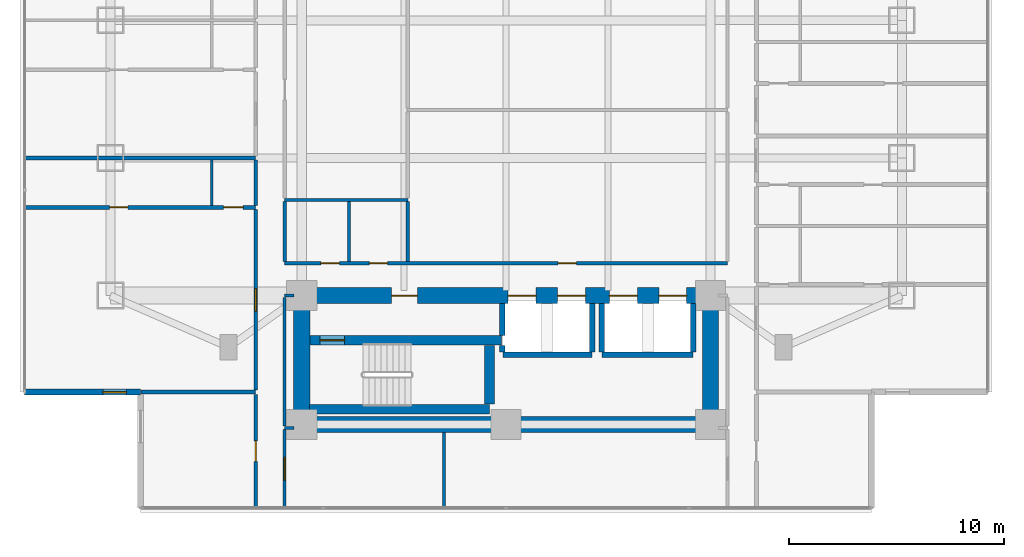
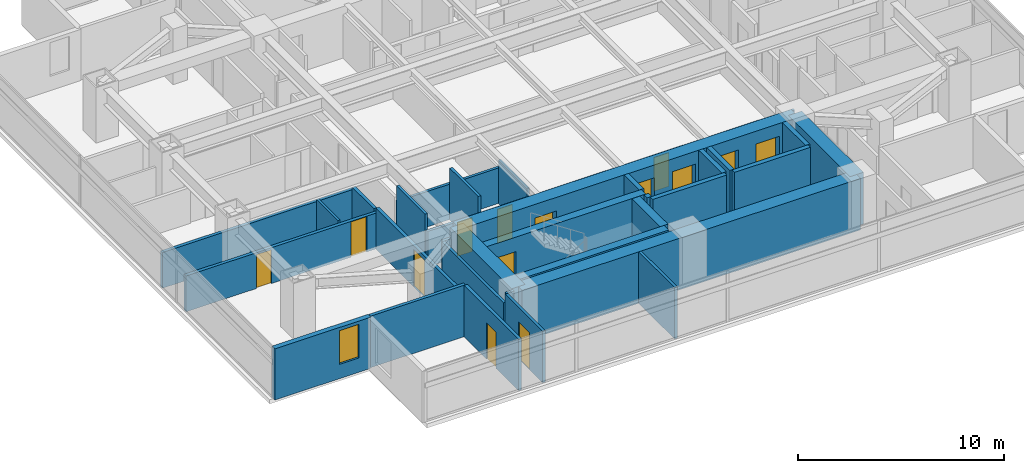
# One storey, part 14 of 26: 32 walls, 14 doors, 1 window, 15 openings.
"""IFC4 building model written with IfcOpenShell, lengths in metres."""

from ifc_helpers import new_model, si_unit, direction, frame, frame_2d, origin, place, context, subcontext, project, spatial, rectangle, extrude, material, layer, layer_set, type_object, element, fill, save


model = new_model("IFC4")

# Units and contexts
model_context = context("Model", 3, precision=1e-05, world=origin(), true_north=direction((0.0, 1.0)))
body_context = subcontext(model_context, "Body", "Model", "MODEL_VIEW")
ifc_project = project(units=[si_unit("LENGTHUNIT", "METRE"), si_unit("AREAUNIT", "SQUARE_METRE"), si_unit("VOLUMEUNIT", "CUBIC_METRE"), si_unit("PLANEANGLEUNIT", "RADIAN"), si_unit("MASSUNIT", "GRAM", prefix="KILO")], contexts=[model_context])

# Site, building, storey
site_placement = place(None, origin())
site = spatial("IfcSite", under=ifc_project, at=site_placement, CompositionType="ELEMENT")
building_placement = place(site_placement, origin())
building = spatial("IfcBuilding", under=site, at=building_placement, Name="Mirazonda Arch Towers", CompositionType="ELEMENT")
storey_placement = place(building_placement, frame((0.0, 0.0, 38.89990234375)))
storey = spatial("IfcBuildingStorey", under=building, at=storey_placement, Name="L10", CompositionType="ELEMENT", Elevation=38.89990234375)

# Wall
ifc_material_1 = material(Name="Concrete C50/60", Category="concrete")
ifc_layer_1 = layer(ifc_material_1, 0.449951171875, Name="WALL-CORE-450")
ifc_layer_set_1 = layer_set([ifc_layer_1], Name="Concrete C50/60")
wall_type_1 = type_object("IfcWallType", Name="WALL-CORE-450", PredefinedType="SHEAR", material=ifc_layer_set_1)
wall_1_placement = place(storey_placement, frame((11.3701171875, 13.1201171875, 0.0), z_axis=(0.0, 0.0, 1.0), x_axis=(1.0, 0.0, 0.0)))
element("IfcWall", 1, at=wall_1_placement, inside=storey, type_object=wall_type_1, Name="L10 Stair Core Shear Wall 003", PredefinedType="SHEAR", context=body_context, shape_type="SweptSolid", body=[
    extrude(rectangle(XDim=8.35986328125, YDim=0.449951171875, at=frame_2d((4.179931640625, 0.0))), origin(), (0.0, 0.0, 1.0), 3.06005859375),
])

# Wall, opening, door
wall_2_placement = place(storey_placement, frame((11.3701171875, 16.320068359375, 0.0), z_axis=(0.0, 0.0, 1.0), x_axis=(1.0, 0.0, 0.0)))
wall_2 = element("IfcWall", 2, at=wall_2_placement, inside=storey, type_object=wall_type_1, Name="L10 Stair Core Shear Wall 008", PredefinedType="SHEAR", context=body_context, shape_type="SweptSolid", body=[
    extrude(rectangle(XDim=8.909912109375, YDim=0.449951171875, at=frame_2d((4.455078125, 0.0))), origin(), (0.0, 0.0, 1.0), 3.06005859375),
])
opening_1_placement = place(wall_2_placement, frame((0.469970703125, 0.0, 0.0)))
opening_1 = element("IfcOpeningElement", 3, at=opening_1_placement, cuts=wall_2, Name="Opening DR-135", PredefinedType="OPENING", context=body_context, shape_type="SweptSolid", body=[
    extrude(rectangle(XDim=1.14990234375, YDim=2.199951171875, at=frame_2d((0.574951171875, 1.10009765625))), frame((0.0, 0.23486328125, 0.0), z_axis=(0.0, -1.0, 0.0), x_axis=(1.0, 0.0, 0.0)), (0.0, 0.0, 1.0), 0.469970703125),
])
ifc_material_2 = material(Name="Architectural Brushed Steel S355", Category="steel")
door_type_1 = type_object("IfcDoorType", Name="DOOR-STAIR-FD90-1150", OperationType="NOTDEFINED", PredefinedType="DOOR", material=ifc_material_2)
door_1_placement = place(opening_1_placement, origin())
door_1 = element("IfcDoor", 4, at=door_1_placement, inside=storey, type_object=door_type_1, Name="L10 Protected Exit Stair South Door", OperationType="SINGLE_SWING_RIGHT", OverallHeight=2.199951171875, OverallWidth=1.14990234375, PredefinedType="DOOR", context=body_context, shape_type="SweptSolid", body=[
    extrude(rectangle(XDim=1.14990234375, YDim=2.199951171875, at=frame_2d((0.574951171875, 1.10009765625))), frame((0.0, 0.02490234375, 0.0), z_axis=(0.0, -1.0, 0.0), x_axis=(1.0, 0.0, 0.0)), (0.0, 0.0, 1.0), 0.050048828125),
])
fill(opening_1, door_1)

# Walls
wall_3_placement = place(storey_placement, frame((19.72998046875, 13.35498046875, 0.0), z_axis=(0.0, 0.0, 1.0), x_axis=(0.0, 1.0, 0.0)))
element("IfcWall", 5, at=wall_3_placement, inside=storey, type_object=wall_type_1, Name="L10 Stair Core Shear Wall 090", PredefinedType="SHEAR", context=body_context, shape_type="SweptSolid", body=[
    extrude(rectangle(XDim=2.72998046875, YDim=0.449951171875, at=frame_2d((1.364990234375, 0.0))), origin(), (0.0, 0.0, 1.0), 3.06005859375),
])
ifc_material_3 = material(Name="Concrete C60/75", Category="concrete")
ifc_layer_2 = layer(ifc_material_3, 0.75, Name="WALL-CORE-750")
ifc_layer_set_2 = layer_set([ifc_layer_2], Name="Concrete C60/75")
wall_type_2 = type_object("IfcWallType", Name="WALL-CORE-750", PredefinedType="SHEAR", material=ifc_layer_set_2)
wall_4_placement = place(storey_placement, frame((11.0, 12.39990234375, 0.0), z_axis=(0.0, 0.0, 1.0), x_axis=(1.0, 0.0, 0.0)))
element("IfcWall", 6, at=wall_4_placement, inside=storey, type_object=wall_type_2, Name="L10 T1S-S Core Shear Wall", PredefinedType="SHEAR", context=body_context, shape_type="SweptSolid", body=[
    extrude(rectangle(XDim=19.0, YDim=0.75, at=frame_2d((9.5, 0.0))), origin(), (0.0, 0.0, 1.0), 3.06005859375),
])
for number, where, z_axis, x_axis, name in (
    (7, (11.0, 12.39990234375, 0.0), (0.0, 0.0, 1.0), (0.0, 1.0, 0.0), "L10 T1S-W Core Shear Wall"),
    (8, (30.0, 12.39990234375, 0.0), (0.0, 0.0, 1.0), (0.0, 1.0, 0.0), "L10 T1S-E Core Shear Wall"),
):
    element("IfcWall", number, at=place(storey_placement, frame(where, z_axis=z_axis, x_axis=x_axis)), inside=storey, type_object=wall_type_2, Name=name, PredefinedType="SHEAR", context=body_context, shape_type="SweptSolid", body=[
        extrude(rectangle(XDim=6.0, YDim=0.75, at=frame_2d((3.0, 0.0))), origin(), (0.0, 0.0, 1.0), 3.06005859375),
    ])

# Wall, openings, doors
wall_5_placement = place(storey_placement, frame((11.0, 18.39990234375, 0.0), z_axis=(0.0, 0.0, 1.0), x_axis=(1.0, 0.0, 0.0)))
wall_5 = element("IfcWall", 9, at=wall_5_placement, inside=storey, type_object=wall_type_2, Name="L10 T1S-N Core Shear Wall", PredefinedType="SHEAR", context=body_context, shape_type="SweptSolid", body=[
    extrude(rectangle(XDim=19.0, YDim=0.75, at=frame_2d((9.5, 0.0))), origin(), (0.0, 0.0, 1.0), 3.06005859375),
])
opening_2_placement = place(wall_5_placement, frame((4.175048828125, 0.0, 0.0)))
opening_2 = element("IfcOpeningElement", 10, at=opening_2_placement, cuts=wall_5, Name="Opening DR-117", PredefinedType="OPENING", context=body_context, shape_type="SweptSolid", body=[
    extrude(rectangle(XDim=1.199951171875, YDim=2.25, at=frame_2d((0.60009765625, 1.125))), frame((0.0, 0.385009765625, 0.0), z_axis=(0.0, -1.0, 0.0), x_axis=(1.0, 0.0, 0.0)), (0.0, 0.0, 1.0), 0.77001953125),
])
opening_3_placement = place(wall_5_placement, frame((9.60009765625, 0.0, 0.0)))
opening_3 = element("IfcOpeningElement", 11, at=opening_3_placement, cuts=wall_5, Name="Opening LD-111", PredefinedType="OPENING", context=body_context, shape_type="SweptSolid", body=[
    extrude(rectangle(XDim=1.300048828125, YDim=2.300048828125, at=frame_2d((0.64990234375, 1.14990234375))), frame((0.0, 0.385009765625, 0.0), z_axis=(0.0, -1.0, 0.0), x_axis=(1.0, 0.0, 0.0)), (0.0, 0.0, 1.0), 0.77001953125),
])
opening_4_placement = place(wall_5_placement, frame((11.89990234375, 0.0, 0.0)))
opening_4 = element("IfcOpeningElement", 12, at=opening_4_placement, cuts=wall_5, Name="Opening LD-111", PredefinedType="OPENING", context=body_context, shape_type="SweptSolid", body=[
    extrude(rectangle(XDim=1.300048828125, YDim=2.300048828125, at=frame_2d((0.64990234375, 1.14990234375))), frame((0.0, 0.385009765625, 0.0), z_axis=(0.0, -1.0, 0.0), x_axis=(1.0, 0.0, 0.0)), (0.0, 0.0, 1.0), 0.77001953125),
])
opening_5_placement = place(wall_5_placement, frame((14.300048828125, 0.0, 0.0)))
opening_5 = element("IfcOpeningElement", 13, at=opening_5_placement, cuts=wall_5, Name="Opening LD-111", PredefinedType="OPENING", context=body_context, shape_type="SweptSolid", body=[
    extrude(rectangle(XDim=1.300048828125, YDim=2.300048828125, at=frame_2d((0.64990234375, 1.14990234375))), frame((0.0, 0.385009765625, 0.0), z_axis=(0.0, -1.0, 0.0), x_axis=(1.0, 0.0, 0.0)), (0.0, 0.0, 1.0), 0.77001953125),
])
opening_6_placement = place(wall_5_placement, frame((16.60009765625, 0.0, 0.0)))
opening_6 = element("IfcOpeningElement", 14, at=opening_6_placement, cuts=wall_5, Name="Opening LD-111", PredefinedType="OPENING", context=body_context, shape_type="SweptSolid", body=[
    extrude(rectangle(XDim=1.300048828125, YDim=2.300048828125, at=frame_2d((0.64990234375, 1.14990234375))), frame((0.0, 0.385009765625, 0.0), z_axis=(0.0, -1.0, 0.0), x_axis=(1.0, 0.0, 0.0)), (0.0, 0.0, 1.0), 0.77001953125),
])
door_type_2 = type_object("IfcDoorType", Name="DOOR-FFL-FD90-1200", OperationType="NOTDEFINED", PredefinedType="DOOR", material=ifc_material_2)
door_2_placement = place(opening_2_placement, origin())
door_2 = element("IfcDoor", 15, at=door_2_placement, inside=storey, type_object=door_type_2, Name="L10 South Core Stair & Lift Lobby Door", OperationType="SINGLE_SWING_LEFT", OverallHeight=2.25, OverallWidth=1.199951171875, PredefinedType="DOOR", context=body_context, shape_type="SweptSolid", body=[
    extrude(rectangle(XDim=1.199951171875, YDim=2.25, at=frame_2d((0.60009765625, 1.125))), frame((0.0, 0.02490234375, 0.0), z_axis=(0.0, -1.0, 0.0), x_axis=(1.0, 0.0, 0.0)), (0.0, 0.0, 1.0), 0.050048828125),
])
fill(opening_2, door_2)
door_type_3 = type_object("IfcDoorType", Name="DOOR-LIFT-LAND-1300", OperationType="NOTDEFINED", PredefinedType="DOOR", material=ifc_material_2)
door_3_placement = place(opening_3_placement, origin())
door_3 = element("IfcDoor", 16, at=door_3_placement, inside=storey, type_object=door_type_3, Name="L10 Lift Landing Sliding Door PL-T1M1", OperationType="DOUBLE_DOOR_SLIDING", OverallHeight=2.300048828125, OverallWidth=1.300048828125, PredefinedType="DOOR", context=body_context, shape_type="SweptSolid", body=[
    extrude(rectangle(XDim=1.300048828125, YDim=2.300048828125, at=frame_2d((0.64990234375, 1.14990234375))), frame((0.0, 0.02490234375, 0.0), z_axis=(0.0, -1.0, 0.0), x_axis=(1.0, 0.0, 0.0)), (0.0, 0.0, 1.0), 0.050048828125),
])
fill(opening_3, door_3)
door_4_placement = place(opening_4_placement, origin())
door_4 = element("IfcDoor", 17, at=door_4_placement, inside=storey, type_object=door_type_3, Name="L10 Lift Landing Sliding Door PL-T1M2", OperationType="DOUBLE_DOOR_SLIDING", OverallHeight=2.300048828125, OverallWidth=1.300048828125, PredefinedType="DOOR", context=body_context, shape_type="SweptSolid", body=[
    extrude(rectangle(XDim=1.300048828125, YDim=2.300048828125, at=frame_2d((0.64990234375, 1.14990234375))), frame((0.0, 0.02490234375, 0.0), z_axis=(0.0, -1.0, 0.0), x_axis=(1.0, 0.0, 0.0)), (0.0, 0.0, 1.0), 0.050048828125),
])
fill(opening_4, door_4)
door_5_placement = place(opening_5_placement, origin())
door_5 = element("IfcDoor", 18, at=door_5_placement, inside=storey, type_object=door_type_3, Name="L10 Lift Landing Sliding Door PL-T1H1", OperationType="DOUBLE_DOOR_SLIDING", OverallHeight=2.300048828125, OverallWidth=1.300048828125, PredefinedType="DOOR", context=body_context, shape_type="SweptSolid", body=[
    extrude(rectangle(XDim=1.300048828125, YDim=2.300048828125, at=frame_2d((0.64990234375, 1.14990234375))), frame((0.0, 0.02490234375, 0.0), z_axis=(0.0, -1.0, 0.0), x_axis=(1.0, 0.0, 0.0)), (0.0, 0.0, 1.0), 0.050048828125),
])
fill(opening_5, door_5)
door_6_placement = place(opening_6_placement, origin())
door_6 = element("IfcDoor", 19, at=door_6_placement, inside=storey, type_object=door_type_3, Name="L10 Lift Landing Sliding Door PL-T1H2", OperationType="DOUBLE_DOOR_SLIDING", OverallHeight=2.300048828125, OverallWidth=1.300048828125, PredefinedType="DOOR", context=body_context, shape_type="SweptSolid", body=[
    extrude(rectangle(XDim=1.300048828125, YDim=2.300048828125, at=frame_2d((0.64990234375, 1.14990234375))), frame((0.0, 0.02490234375, 0.0), z_axis=(0.0, -1.0, 0.0), x_axis=(1.0, 0.0, 0.0)), (0.0, 0.0, 1.0), 0.050048828125),
])
fill(opening_6, door_6)

# Wall, opening, window
ifc_material_4 = material(Name="Precast Concrete C40/50", Category="concrete")
ifc_layer_3 = layer(ifc_material_4, 0.280029296875, Name="WALL-EXT-WALL-280")
ifc_layer_set_3 = layer_set([ifc_layer_3], Name="Precast Concrete C40/50")
wall_type_3 = type_object("IfcWallType", Name="WALL-EXT-WALL-280", PredefinedType="SOLIDWALL", material=ifc_layer_set_3)
wall_6_placement = place(storey_placement, frame((-1.8798828125, 13.909912109375, 0.0), z_axis=(0.0, 0.0, 1.0), x_axis=(1.0, 0.0, 0.0)))
wall_6 = element("IfcWall", 20, at=wall_6_placement, inside=storey, type_object=wall_type_3, Name="L10 T1 Corner Notch Return Wall WL-L10-T1-CSW2", PredefinedType="SOLIDWALL", context=body_context, shape_type="SweptSolid", body=[
    extrude(rectangle(XDim=5.3798828125, YDim=0.280029296875, at=frame_2d((2.68994140625, 0.0))), origin(), (0.0, 0.0, 1.0), 3.0400390625),
])
opening_7_placement = place(wall_6_placement, frame((3.6298828125, 0.0, 0.85009765625)))
opening_7 = element("IfcOpeningElement", 21, at=opening_7_placement, cuts=wall_6, Name="Opening WN-108", PredefinedType="OPENING", context=body_context, shape_type="SweptSolid", body=[
    extrude(rectangle(XDim=1.10009765625, YDim=2.0, at=frame_2d((0.550048828125, 1.0))), frame((0.0, 0.14990234375, 0.0), z_axis=(0.0, -1.0, 0.0), x_axis=(1.0, 0.0, 0.0)), (0.0, 0.0, 1.0), 0.300048828125),
])
ifc_material_5 = material(Name="Insulated Low-E Solar Glass", Category="glass")
window_type = type_object("IfcWindowType", Name="WIN-NOTCH-1100x2000", PartitioningType="SINGLE_PANEL", PredefinedType="WINDOW", material=ifc_material_5)
window_placement = place(opening_7_placement, origin())
window = element("IfcWindow", 22, at=window_placement, inside=storey, type_object=window_type, Name="L10 Punched Facade Window WN-L10-T1-CSW2", OverallHeight=2.0, OverallWidth=1.10009765625, PartitioningType="SINGLE_PANEL", PredefinedType="WINDOW", context=body_context, shape_type="SweptSolid", body=[
    extrude(rectangle(XDim=1.10009765625, YDim=2.0, at=frame_2d((0.550048828125, 1.0))), frame((0.0, 0.030029296875, 0.0), z_axis=(0.0, -1.0, 0.0), x_axis=(1.0, 0.0, 0.0)), (0.0, 0.0, 1.0), 0.06005859375),
])
fill(opening_7, window)

# Walls
ifc_material_6 = material(Name="Fire-Rated Gypsum Stud Partition")
ifc_layer_4 = layer(ifc_material_6, 0.14990234375, Name="WALL-PART-CORR-150")
ifc_layer_set_4 = layer_set([ifc_layer_4], Name="Fire-Rated Gypsum Stud Partition")
wall_type_4 = type_object("IfcWallType", Name="WALL-PART-CORR-150", PredefinedType="PARTITIONING", material=ifc_layer_set_4)
wall_7_placement = place(storey_placement, frame((10.199951171875, 12.25, 0.0), z_axis=(0.0, 0.0, 1.0), x_axis=(1.0, 0.0, 0.0)))
element("IfcWall", 23, at=wall_7_placement, inside=storey, type_object=wall_type_4, Name="L10 Interior Partition 001", PredefinedType="PARTITIONING", context=body_context, shape_type="SweptSolid", body=[
    extrude(rectangle(XDim=0.429931640625, YDim=0.14990234375, at=frame_2d((0.21484375, 0.0))), origin(), (0.0, 0.0, 1.0), 3.06005859375),
])
wall_8_placement = place(storey_placement, frame((10.199951171875, 18.39990234375, 0.0), z_axis=(0.0, 0.0, 1.0), x_axis=(1.0, 0.0, 0.0)))
element("IfcWall", 24, at=wall_8_placement, inside=storey, type_object=wall_type_4, Name="L10 Interior Partition 012", PredefinedType="PARTITIONING", context=body_context, shape_type="SweptSolid", body=[
    extrude(rectangle(XDim=0.429931640625, YDim=0.14990234375, at=frame_2d((0.21484375, 0.0))), origin(), (0.0, 0.0, 1.0), 2.43603515625),
])

# Wall, openings, doors
wall_9_placement = place(storey_placement, frame((10.199951171875, 19.89990234375, 0.0), z_axis=(0.0, 0.0, 1.0), x_axis=(1.0, 0.0, 0.0)))
wall_9 = element("IfcWall", 25, at=wall_9_placement, inside=storey, type_object=wall_type_4, Name="L10 Interior Partition 016", PredefinedType="PARTITIONING", context=body_context, shape_type="SweptSolid", body=[
    extrude(rectangle(XDim=20.60009765625, YDim=0.14990234375, at=frame_2d((10.300048828125, 0.0))), origin(), (0.0, 0.0, 1.0), 2.10400390625),
])
opening_8_placement = place(wall_9_placement, frame((1.695068359375, 0.0, 0.0)))
opening_8 = element("IfcOpeningElement", 26, at=opening_8_placement, cuts=wall_9, Name="Opening DR-128", PredefinedType="OPENING", context=body_context, shape_type="SweptSolid", body=[
    extrude(rectangle(XDim=0.85009765625, YDim=2.010009765625, at=frame_2d((0.425048828125, 1.0048828125))), frame((0.0, 0.0849609375, 0.0), z_axis=(0.0, -1.0, 0.0), x_axis=(1.0, 0.0, 0.0)), (0.0, 0.0, 1.0), 0.169921875),
])
opening_9_placement = place(wall_9_placement, frame((3.93994140625, 0.0, 0.0)))
opening_9 = element("IfcOpeningElement", 27, at=opening_9_placement, cuts=wall_9, Name="Opening DR-128", PredefinedType="OPENING", context=body_context, shape_type="SweptSolid", body=[
    extrude(rectangle(XDim=0.85009765625, YDim=2.010009765625, at=frame_2d((0.425048828125, 1.0048828125))), frame((0.0, 0.0849609375, 0.0), z_axis=(0.0, -1.0, 0.0), x_axis=(1.0, 0.0, 0.0)), (0.0, 0.0, 1.0), 0.169921875),
])
opening_10_placement = place(wall_9_placement, frame((12.719970703125, 0.0, 0.0)))
opening_10 = element("IfcOpeningElement", 28, at=opening_10_placement, cuts=wall_9, Name="Opening DR-128", PredefinedType="OPENING", context=body_context, shape_type="SweptSolid", body=[
    extrude(rectangle(XDim=0.85009765625, YDim=2.010009765625, at=frame_2d((0.425048828125, 1.0048828125))), frame((0.0, 0.0849609375, 0.0), z_axis=(0.0, -1.0, 0.0), x_axis=(1.0, 0.0, 0.0)), (0.0, 0.0, 1.0), 0.169921875),
])
door_type_4 = type_object("IfcDoorType", Name="DOOR-RISER-FD60-850", OperationType="NOTDEFINED", PredefinedType="DOOR", material=ifc_material_2)
door_7_placement = place(opening_8_placement, origin())
door_7 = element("IfcDoor", 29, at=door_7_placement, inside=storey, type_object=door_type_4, Name="L10 Common Accessible WC Door", OperationType="SINGLE_SWING_LEFT", OverallHeight=2.010009765625, OverallWidth=0.85009765625, PredefinedType="DOOR", context=body_context, shape_type="SweptSolid", body=[
    extrude(rectangle(XDim=0.85009765625, YDim=2.010009765625, at=frame_2d((0.425048828125, 1.0048828125))), frame((0.0, 0.02490234375, 0.0), z_axis=(0.0, -1.0, 0.0), x_axis=(1.0, 0.0, 0.0)), (0.0, 0.0, 1.0), 0.050048828125),
])
fill(opening_8, door_7)
door_8_placement = place(opening_9_placement, origin())
door_8 = element("IfcDoor", 30, at=door_8_placement, inside=storey, type_object=door_type_4, Name="L10 L10 West Courtyard Study Door", OperationType="SINGLE_SWING_LEFT", OverallHeight=2.010009765625, OverallWidth=0.85009765625, PredefinedType="DOOR", context=body_context, shape_type="SweptSolid", body=[
    extrude(rectangle(XDim=0.85009765625, YDim=2.010009765625, at=frame_2d((0.425048828125, 1.0048828125))), frame((0.0, 0.02490234375, 0.0), z_axis=(0.0, -1.0, 0.0), x_axis=(1.0, 0.0, 0.0)), (0.0, 0.0, 1.0), 0.050048828125),
])
fill(opening_9, door_8)
door_9_placement = place(opening_10_placement, origin())
door_9 = element("IfcDoor", 31, at=door_9_placement, inside=storey, type_object=door_type_4, Name="L10 Business Reading Study Door", OperationType="SINGLE_SWING_LEFT", OverallHeight=2.010009765625, OverallWidth=0.85009765625, PredefinedType="DOOR", context=body_context, shape_type="SweptSolid", body=[
    extrude(rectangle(XDim=0.85009765625, YDim=2.010009765625, at=frame_2d((0.425048828125, 1.0048828125))), frame((0.0, 0.02490234375, 0.0), z_axis=(0.0, -1.0, 0.0), x_axis=(1.0, 0.0, 0.0)), (0.0, 0.0, 1.0), 0.050048828125),
])
fill(opening_10, door_9)

# Wall
wall_10_placement = place(storey_placement, frame((10.199951171875, 22.85009765625, 0.0), z_axis=(0.0, 0.0, 1.0), x_axis=(1.0, 0.0, 0.0)))
element("IfcWall", 32, at=wall_10_placement, inside=storey, type_object=wall_type_4, Name="L10 Interior Partition 024", PredefinedType="PARTITIONING", context=body_context, shape_type="SweptSolid", body=[
    extrude(rectangle(XDim=5.72998046875, YDim=0.14990234375, at=frame_2d((2.864990234375, 0.0))), origin(), (0.0, 0.0, 1.0), 2.10400390625),
])

# Wall, opening, door
wall_11_placement = place(storey_placement, frame((10.199951171875, 8.530029296875, 0.0), z_axis=(0.0, 0.0, 1.0), x_axis=(0.0, 1.0, 0.0)))
wall_11 = element("IfcWall", 33, at=wall_11_placement, inside=storey, type_object=wall_type_4, Name="L10 Interior Partition 076", PredefinedType="PARTITIONING", context=body_context, shape_type="SweptSolid", body=[
    extrude(rectangle(XDim=3.635009765625, YDim=0.14990234375, at=frame_2d((1.8173828125, 0.0))), origin(), (0.0, 0.0, 1.0), 3.06005859375),
])
opening_11_placement = place(wall_11_placement, frame((1.29248046875, 0.0, 0.0)))
opening_11 = element("IfcOpeningElement", 34, at=opening_11_placement, cuts=wall_11, Name="Opening DR-121", PredefinedType="OPENING", context=body_context, shape_type="SweptSolid", body=[
    extrude(rectangle(XDim=1.050048828125, YDim=2.199951171875, at=frame_2d((0.52490234375, 1.10009765625))), frame((0.0, 0.0849609375, 0.0), z_axis=(0.0, -1.0, 0.0), x_axis=(1.0, 0.0, 0.0)), (0.0, 0.0, 1.0), 0.169921875),
])
door_type_5 = type_object("IfcDoorType", Name="DOOR-SUITE-FD60-1050", OperationType="NOTDEFINED", PredefinedType="DOOR", material=ifc_material_2)
door_10_placement = place(opening_11_placement, origin())
door_10 = element("IfcDoor", 35, at=door_10_placement, inside=storey, type_object=door_type_5, Name="L10 South Horizon Lounge Minor Door", OperationType="SINGLE_SWING_LEFT", OverallHeight=2.199951171875, OverallWidth=1.050048828125, PredefinedType="DOOR", context=body_context, shape_type="SweptSolid", body=[
    extrude(rectangle(XDim=1.050048828125, YDim=2.199951171875, at=frame_2d((0.52490234375, 1.10009765625))), frame((0.0, 0.02490234375, 0.0), z_axis=(0.0, -1.0, 0.0), x_axis=(1.0, 0.0, 0.0)), (0.0, 0.0, 1.0), 0.050048828125),
])
fill(opening_11, door_10)

# Walls
wall_12_placement = place(storey_placement, frame((10.199951171875, 12.3349609375, 0.0), z_axis=(0.0, 0.0, 1.0), x_axis=(0.0, 1.0, 0.0)))
element("IfcWall", 36, at=wall_12_placement, inside=storey, type_object=wall_type_4, Name="L10 Interior Partition 077", PredefinedType="PARTITIONING", context=body_context, shape_type="SweptSolid", body=[
    extrude(rectangle(XDim=5.97998046875, YDim=0.14990234375, at=frame_2d((2.989990234375, 0.0))), origin(), (0.0, 0.0, 1.0), 2.43603515625),
])
for number, where, z_axis, x_axis, name in (
    (37, (10.206787109375, 19.985107421875, 0.0), (0.0, 0.0, 1.0), (0.0, 1.0, 0.0), "L10 Interior Partition 078"),
    (38, (13.199951171875, 19.985107421875, 0.0), (0.0, 0.0, 1.0), (0.0, 1.0, 0.0), "L10 Interior Partition 083"),
):
    element("IfcWall", number, at=place(storey_placement, frame(where, z_axis=z_axis, x_axis=x_axis)), inside=storey, type_object=wall_type_4, Name=name, PredefinedType="PARTITIONING", context=body_context, shape_type="SweptSolid", body=[
        extrude(rectangle(XDim=2.77978515625, YDim=0.14990234375, at=frame_2d((1.389892578125, 0.0))), origin(), (0.0, 0.0, 1.0), 3.06005859375),
    ])
wall_13_placement = place(storey_placement, frame((15.929931640625, 19.985107421875, 0.0), z_axis=(0.0, 0.0, 1.0), x_axis=(0.0, 1.0, 0.0)))
element("IfcWall", 39, at=wall_13_placement, inside=storey, type_object=wall_type_4, Name="L10 Interior Partition 085", PredefinedType="PARTITIONING", context=body_context, shape_type="SweptSolid", body=[
    extrude(rectangle(XDim=2.77978515625, YDim=0.14990234375, at=frame_2d((1.389892578125, 0.0))), origin(), (0.0, 0.0, 1.0), 2.589111328125),
])
wall_14_placement = place(storey_placement, frame((17.615966796875, 8.530029296875, 0.0), z_axis=(0.0, 0.0, 1.0), x_axis=(0.0, 1.0, 0.0)))
element("IfcWall", 40, at=wall_14_placement, inside=storey, type_object=wall_type_4, Name="L10 Interior Partition 088", PredefinedType="PARTITIONING", context=body_context, shape_type="SweptSolid", body=[
    extrude(rectangle(XDim=3.5, YDim=0.14990234375, at=frame_2d((1.75, 0.0))), origin(), (0.0, 0.0, 1.0), 3.06005859375),
])
ifc_material_7 = material(Name="Fire-Rated Gypsum Twin-Stud Assembly")
ifc_layer_5 = layer(ifc_material_7, 0.179931640625, Name="WALL-PART-DEMISE-180")
ifc_layer_set_5 = layer_set([ifc_layer_5], Name="Fire-Rated Gypsum Twin-Stud Assembly")
wall_type_5 = type_object("IfcWallType", Name="WALL-PART-DEMISE-180", PredefinedType="PARTITIONING", material=ifc_layer_set_5)
wall_15_placement = place(storey_placement, frame((3.52001953125, 13.909912109375, 0.0), z_axis=(0.0, 0.0, 1.0), x_axis=(1.0, 0.0, 0.0)))
element("IfcWall", 41, at=wall_15_placement, inside=storey, type_object=wall_type_5, Name="L10 Interior Partition 004", PredefinedType="PARTITIONING", context=body_context, shape_type="SweptSolid", body=[
    extrude(rectangle(XDim=5.340087890625, YDim=0.179931640625, at=frame_2d((2.669921875, 0.0))), origin(), (0.0, 0.0, 1.0), 3.06005859375),
])

# Wall, openings, doors
wall_16_placement = place(storey_placement, frame((-1.8798828125, 22.5, 0.0), z_axis=(0.0, 0.0, 1.0), x_axis=(1.0, 0.0, 0.0)))
wall_16 = element("IfcWall", 42, at=wall_16_placement, inside=storey, type_object=wall_type_5, Name="L10 Interior Partition 022", PredefinedType="PARTITIONING", context=body_context, shape_type="SweptSolid", body=[
    extrude(rectangle(XDim=10.739990234375, YDim=0.179931640625, at=frame_2d((5.3701171875, 0.0))), origin(), (0.0, 0.0, 1.0), 2.125),
])
opening_12_placement = place(wall_16_placement, frame((3.945068359375, 0.0, 0.0)))
opening_12 = element("IfcOpeningElement", 43, at=opening_12_placement, cuts=wall_16, Name="Opening DR-128", PredefinedType="OPENING", context=body_context, shape_type="SweptSolid", body=[
    extrude(rectangle(XDim=0.85009765625, YDim=2.010009765625, at=frame_2d((0.425048828125, 1.0048828125))), frame((0.0, 0.099853515625, 0.0), z_axis=(0.0, -1.0, 0.0), x_axis=(1.0, 0.0, 0.0)), (0.0, 0.0, 1.0), 0.199951171875),
])
opening_13_placement = place(wall_16_placement, frame((9.25, 0.0, 0.0)))
opening_13 = element("IfcOpeningElement", 44, at=opening_13_placement, cuts=wall_16, Name="Opening DR-120", PredefinedType="OPENING", context=body_context, shape_type="SweptSolid", body=[
    extrude(rectangle(XDim=0.89990234375, YDim=2.10009765625, at=frame_2d((0.449951171875, 1.050048828125))), frame((0.0, 0.099853515625, 0.0), z_axis=(0.0, -1.0, 0.0), x_axis=(1.0, 0.0, 0.0)), (0.0, 0.0, 1.0), 0.199951171875),
])
door_11_placement = place(opening_12_placement, origin())
door_11 = element("IfcDoor", 45, at=door_11_placement, inside=storey, type_object=door_type_4, Name="L10 Suite Bedroom 1 Door", OperationType="SINGLE_SWING_LEFT", OverallHeight=2.010009765625, OverallWidth=0.85009765625, PredefinedType="DOOR", context=body_context, shape_type="SweptSolid", body=[
    extrude(rectangle(XDim=0.85009765625, YDim=2.010009765625, at=frame_2d((0.425048828125, 1.0048828125))), frame((0.0, 0.02490234375, 0.0), z_axis=(0.0, -1.0, 0.0), x_axis=(1.0, 0.0, 0.0)), (0.0, 0.0, 1.0), 0.050048828125),
])
fill(opening_12, door_11)
door_type_6 = type_object("IfcDoorType", Name="DOOR-WC-900", OperationType="NOTDEFINED", PredefinedType="DOOR", material=ifc_material_2)
door_12_placement = place(opening_13_placement, origin())
door_12 = element("IfcDoor", 46, at=door_12_placement, inside=storey, type_object=door_type_6, Name="L10 Suite En-Suite Bathroom 1 Door", OperationType="SINGLE_SWING_RIGHT", OverallHeight=2.10009765625, OverallWidth=0.89990234375, PredefinedType="DOOR", context=body_context, shape_type="SweptSolid", body=[
    extrude(rectangle(XDim=0.89990234375, YDim=2.10009765625, at=frame_2d((0.449951171875, 1.050048828125))), frame((0.0, 0.02490234375, 0.0), z_axis=(0.0, -1.0, 0.0), x_axis=(1.0, 0.0, 0.0)), (0.0, 0.0, 1.0), 0.050048828125),
])
fill(opening_13, door_12)

# Wall
wall_17_placement = place(storey_placement, frame((-1.8798828125, 24.800048828125, 0.0), z_axis=(0.0, 0.0, 1.0), x_axis=(1.0, 0.0, 0.0)))
element("IfcWall", 47, at=wall_17_placement, inside=storey, type_object=wall_type_5, Name="L10 Interior Partition 028", PredefinedType="PARTITIONING", context=body_context, shape_type="SweptSolid", body=[
    extrude(rectangle(XDim=10.739990234375, YDim=0.179931640625, at=frame_2d((5.3701171875, 0.0))), origin(), (0.0, 0.0, 1.0), 2.125),
])

# Wall, opening, door
wall_18_placement = place(storey_placement, frame((8.860107421875, 8.530029296875, 0.0), z_axis=(0.0, 0.0, 1.0), x_axis=(0.0, 1.0, 0.0)))
wall_18 = element("IfcWall", 48, at=wall_18_placement, inside=storey, type_object=wall_type_5, Name="L10 Interior Partition 068", PredefinedType="PARTITIONING", context=body_context, shape_type="SweptSolid", body=[
    extrude(rectangle(XDim=5.280029296875, YDim=0.179931640625, at=frame_2d((2.64013671875, 0.0))), origin(), (0.0, 0.0, 1.0), 3.06005859375),
])
opening_14_placement = place(wall_18_placement, frame((2.1650390625, 0.0, 0.0)))
opening_14 = element("IfcOpeningElement", 49, at=opening_14_placement, cuts=wall_18, Name="Opening DR-104", PredefinedType="OPENING", context=body_context, shape_type="SweptSolid", body=[
    extrude(rectangle(XDim=0.949951171875, YDim=2.14990234375, at=frame_2d((0.47509765625, 1.074951171875))), frame((0.0, 0.099853515625, 0.0), z_axis=(0.0, -1.0, 0.0), x_axis=(1.0, 0.0, 0.0)), (0.0, 0.0, 1.0), 0.199951171875),
])
door_type_7 = type_object("IfcDoorType", Name="DOOR-ROOM-950", OperationType="NOTDEFINED", PredefinedType="DOOR", material=ifc_material_2)
door_13_placement = place(opening_14_placement, origin())
door_13 = element("IfcDoor", 50, at=door_13_placement, inside=storey, type_object=door_type_7, Name="L10 South Horizon Lounge Alcove West Door", OperationType="SINGLE_SWING_LEFT", OverallHeight=2.14990234375, OverallWidth=0.949951171875, PredefinedType="DOOR", context=body_context, shape_type="SweptSolid", body=[
    extrude(rectangle(XDim=0.949951171875, YDim=2.14990234375, at=frame_2d((0.47509765625, 1.074951171875))), frame((0.0, 0.02490234375, 0.0), z_axis=(0.0, -1.0, 0.0), x_axis=(1.0, 0.0, 0.0)), (0.0, 0.0, 1.0), 0.050048828125),
])
fill(opening_14, door_13)

wall_19_placement = place(storey_placement, frame((8.860107421875, 14.010009765625, 0.0), z_axis=(0.0, 0.0, 1.0), x_axis=(0.0, 1.0, 0.0)))
wall_19 = element("IfcWall", 51, at=wall_19_placement, inside=storey, type_object=wall_type_5, Name="L10 Interior Partition 069", PredefinedType="PARTITIONING", context=body_context, shape_type="SweptSolid", body=[
    extrude(rectangle(XDim=8.389892578125, YDim=0.179931640625, at=frame_2d((4.19482421875, 0.0))), origin(), (0.0, 0.0, 1.0), 2.43603515625),
])
opening_15_placement = place(wall_19_placement, frame((3.669921875, 0.0, 0.0)))
opening_15 = element("IfcOpeningElement", 52, at=opening_15_placement, cuts=wall_19, Name="Opening DR-121", PredefinedType="OPENING", context=body_context, shape_type="SweptSolid", body=[
    extrude(rectangle(XDim=1.050048828125, YDim=2.199951171875, at=frame_2d((0.52490234375, 1.10009765625))), frame((0.0, 0.099853515625, 0.0), z_axis=(0.0, -1.0, 0.0), x_axis=(1.0, 0.0, 0.0)), (0.0, 0.0, 1.0), 0.199951171875),
])
door_14_placement = place(opening_15_placement, origin())
door_14 = element("IfcDoor", 53, at=door_14_placement, inside=storey, type_object=door_type_5, Name="L10 Presidential Hotel Suite 1 Door", OperationType="SINGLE_SWING_RIGHT", OverallHeight=2.199951171875, OverallWidth=1.050048828125, PredefinedType="DOOR", context=body_context, shape_type="SweptSolid", body=[
    extrude(rectangle(XDim=1.050048828125, YDim=2.199951171875, at=frame_2d((0.52490234375, 1.10009765625))), frame((0.0, 0.02490234375, 0.0), z_axis=(0.0, -1.0, 0.0), x_axis=(1.0, 0.0, 0.0)), (0.0, 0.0, 1.0), 0.050048828125),
])
fill(opening_15, door_14)

# Walls
wall_20_placement = place(storey_placement, frame((8.860107421875, 22.60009765625, 0.0), z_axis=(0.0, 0.0, 1.0), x_axis=(0.0, 1.0, 0.0)))
element("IfcWall", 54, at=wall_20_placement, inside=storey, type_object=wall_type_5, Name="L10 Interior Partition 070", PredefinedType="PARTITIONING", context=body_context, shape_type="SweptSolid", body=[
    extrude(rectangle(XDim=2.099853515625, YDim=0.179931640625, at=frame_2d((1.0498046875, 0.0))), origin(), (0.0, 0.0, 1.0), 2.279052734375),
])
ifc_material_8 = material(Name="Acoustic Fire-Rated Gypsum Partition")
ifc_layer_6 = layer(ifc_material_8, 0.125, Name="WALL-PART-UNIT-125")
ifc_layer_set_6 = layer_set([ifc_layer_6], Name="Acoustic Fire-Rated Gypsum Partition")
wall_type_6 = type_object("IfcWallType", Name="WALL-PART-UNIT-125", PredefinedType="PARTITIONING", material=ifc_layer_set_6)
wall_21_placement = place(storey_placement, frame((6.820068359375, 22.60009765625, 0.0), z_axis=(0.0, 0.0, 1.0), x_axis=(0.0, 1.0, 0.0)))
element("IfcWall", 55, at=wall_21_placement, inside=storey, type_object=wall_type_6, Name="L10 Interior Partition 065", PredefinedType="PARTITIONING", context=body_context, shape_type="SweptSolid", body=[
    extrude(rectangle(XDim=2.099853515625, YDim=0.125, at=frame_2d((1.0498046875, 0.0))), origin(), (0.0, 0.0, 1.0), 2.279052734375),
])
ifc_material_9 = material(Name="Concrete C40/50", Category="concrete")
ifc_layer_7 = layer(ifc_material_9, 0.25, Name="WALL-SHAFT-250")
ifc_layer_set_7 = layer_set([ifc_layer_7], Name="Concrete C40/50")
wall_type_7 = type_object("IfcWallType", Name="WALL-SHAFT-250", PredefinedType="SOLIDWALL", material=ifc_layer_set_7)
wall_22_placement = place(storey_placement, frame((20.35009765625, 15.64990234375, 0.0), z_axis=(0.0, 0.0, 1.0), x_axis=(1.0, 0.0, 0.0)))
element("IfcWall", 56, at=wall_22_placement, inside=storey, type_object=wall_type_7, Name="L10 Interior Partition 006", PredefinedType="SOLIDWALL", context=body_context, shape_type="SweptSolid", body=[
    extrude(rectangle(XDim=4.14990234375, YDim=0.25, at=frame_2d((2.074951171875, 0.0))), origin(), (0.0, 0.0, 1.0), 3.06005859375),
])
wall_23_placement = place(storey_placement, frame((24.949951171875, 15.64990234375, 0.0), z_axis=(0.0, 0.0, 1.0), x_axis=(1.0, 0.0, 0.0)))
element("IfcWall", 57, at=wall_23_placement, inside=storey, type_object=wall_type_7, Name="L10 Interior Partition 007", PredefinedType="SOLIDWALL", context=body_context, shape_type="SweptSolid", body=[
    extrude(rectangle(XDim=4.25, YDim=0.25, at=frame_2d((2.125, 0.0))), origin(), (0.0, 0.0, 1.0), 3.06005859375),
])
wall_24_placement = place(storey_placement, frame((20.31494140625, 15.784912109375, 0.0), z_axis=(0.0, 0.0, 1.0), x_axis=(0.0, 1.0, 0.0)))
element("IfcWall", 58, at=wall_24_placement, inside=storey, type_object=wall_type_7, Name="L10 Interior Partition 092", PredefinedType="SOLIDWALL", context=body_context, shape_type="SweptSolid", body=[
    extrude(rectangle(XDim=0.300048828125, YDim=0.25, at=frame_2d((0.14990234375, 0.0))), origin(), (0.0, 0.0, 1.0), 3.06005859375),
])
wall_25_placement = place(storey_placement, frame((20.31494140625, 16.554931640625, 0.0), z_axis=(0.0, 0.0, 1.0), x_axis=(0.0, 1.0, 0.0)))
element("IfcWall", 59, at=wall_25_placement, inside=storey, type_object=wall_type_7, Name="L10 Interior Partition 093", PredefinedType="SOLIDWALL", context=body_context, shape_type="SweptSolid", body=[
    extrude(rectangle(XDim=1.47509765625, YDim=0.25, at=frame_2d((0.737548828125, 0.0))), origin(), (0.0, 0.0, 1.0), 3.06005859375),
])
for number, where, z_axis, x_axis, name in (
    (60, (24.5, 15.784912109375, 0.0), (0.0, 0.0, 1.0), (0.0, 1.0, 0.0), "L10 Interior Partition 094"),
    (61, (24.949951171875, 15.784912109375, 0.0), (0.0, 0.0, 1.0), (0.0, 1.0, 0.0), "L10 Interior Partition 096"),
    (62, (29.199951171875, 15.784912109375, 0.0), (0.0, 0.0, 1.0), (0.0, 1.0, 0.0), "L10 Interior Partition 099"),
):
    element("IfcWall", number, at=place(storey_placement, frame(where, z_axis=z_axis, x_axis=x_axis)), inside=storey, type_object=wall_type_7, Name=name, PredefinedType="SOLIDWALL", context=body_context, shape_type="SweptSolid", body=[
        extrude(rectangle(XDim=2.2451171875, YDim=0.25, at=frame_2d((1.12255859375, 0.0))), origin(), (0.0, 0.0, 1.0), 3.06005859375),
    ])

save(model, "model.ifc")
